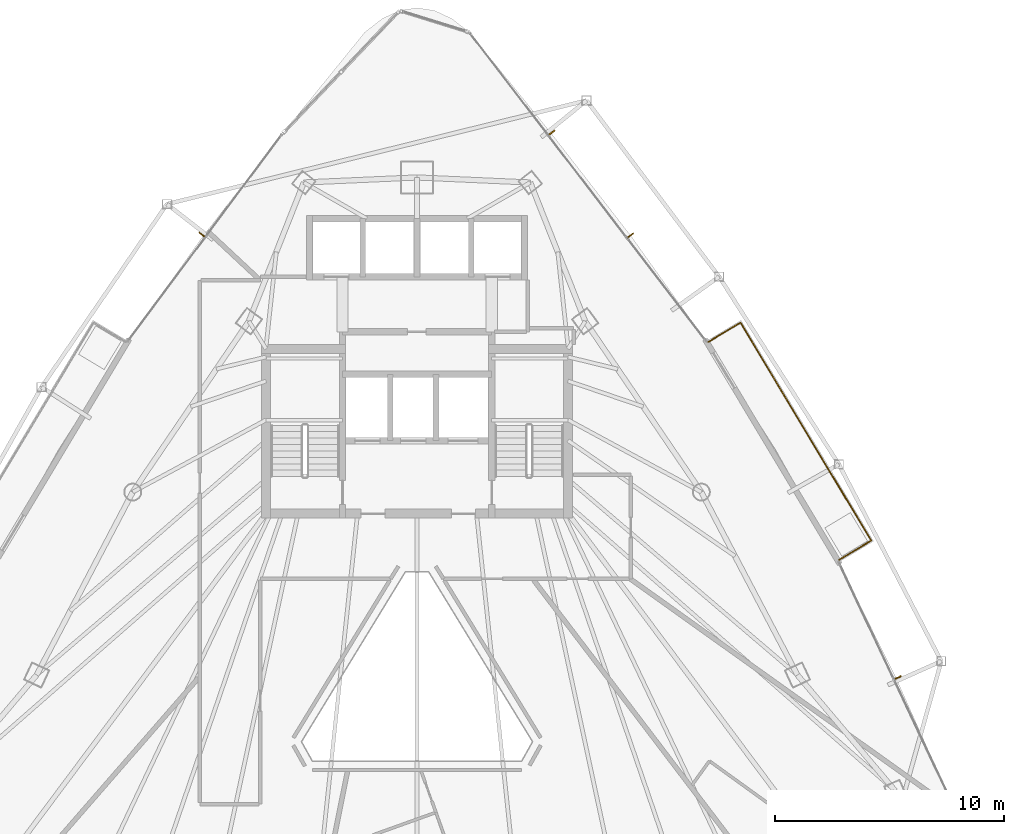
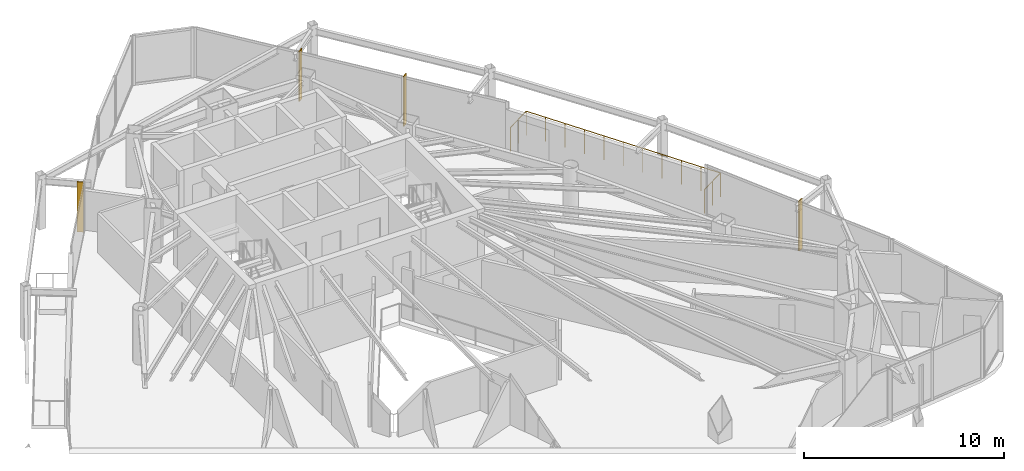
# One storey, part 30 of 30: 4 shading devices, 1 railing.
"""IFC4 building model written with IfcOpenShell, lengths in metres."""

from ifc_helpers import new_model, si_unit, direction, frame, origin, origin_2d, place, context, subcontext, project, spatial, rectangle, circle, extrude, material, layer, layer_set, type_object, element, save


model = new_model("IFC4")

# Units and contexts
model_context = context("Model", 3, precision=1e-05, world=origin(), true_north=direction((0.0, 1.0)))
body_context = subcontext(model_context, "Body", "Model", "MODEL_VIEW")
ifc_project = project(units=[si_unit("LENGTHUNIT", "METRE"), si_unit("AREAUNIT", "SQUARE_METRE"), si_unit("VOLUMEUNIT", "CUBIC_METRE"), si_unit("PLANEANGLEUNIT", "RADIAN"), si_unit("MASSUNIT", "GRAM", prefix="KILO")], contexts=[model_context])

# Site, building, storey
site_placement = place(None, origin())
site = spatial("IfcSite", under=ifc_project, at=site_placement, CompositionType="ELEMENT")
building_placement = place(site_placement, origin())
building = spatial("IfcBuilding", under=site, at=building_placement, Name="Orvanel Arch Residences", CompositionType="ELEMENT")
storey_placement = place(building_placement, frame((0.0, 0.0, 139.699951171875)))
storey = spatial("IfcBuildingStorey", under=building, at=storey_placement, Name="L39", CompositionType="ELEMENT", Elevation=139.699951171875)

# Shading devices
ifc_material = material(Name="Bronze-anodised aluminium AA6063-T6", Category="aluminium")
ifc_layer = layer(ifc_material, 0.054931640625)
ifc_layer_set = layer_set([ifc_layer], Name="Bronze-anodised aluminium AA6063-T6")
shading_device_type = type_object("IfcShadingDeviceType", Name="FIN-BRZ-320", PredefinedType="USERDEFINED", material=ifc_layer_set)
for number, where, z_axis, x_axis, name in (
    (1, (23.593994140625, 38.89697265625, 0.0), (0.0, 0.0, 1.0), (-0.801775644244, 0.597625146976, 0.0), "L39 Anodised Bronze Mullion FIN 01"),
    (2, (54.02392578125, 19.530029296875, 0.0), (0.0, 0.0, 1.0), (0.904827052466, 0.425779291565, 0.0), "L39 Anodised Bronze Mullion FIN 01"),
    (3, (42.333984375, 38.864013671875, 0.0), (0.0, 0.0, 1.0), (0.793353340291, 0.608761429009, 0.0), "L39 Anodised Bronze Mullion FIN 01"),
    (4, (38.889892578125, 43.35595703125, 0.0), (0.0, 0.0, 1.0), (0.793353340291, 0.608761429009, 0.0), "L39 Anodised Bronze Mullion FIN 02"),
):
    element("IfcShadingDevice", number, at=place(storey_placement, frame(where, z_axis=z_axis, x_axis=x_axis)), inside=storey, type_object=shading_device_type, Name=name, ObjectType="FIN", PredefinedType="USERDEFINED", context=body_context, shape_type="SweptSolid", body=[
        extrude(rectangle(XDim=0.320068359375, YDim=0.054931640625, at=origin_2d()), origin(), (0.0, 0.0, 1.0), 3.06005859375),
    ])

# Railing
railing_type = type_object("IfcRailingType", Name="RL-BAL-1480", PredefinedType="BALUSTRADE", material=ifc_material)
railing_placement = place(storey_placement, frame((51.450927734375, 24.675048828125, 0.0)))
element("IfcRailing", 5, at=railing_placement, inside=storey, type_object=railing_type, Name="L39 Balcony Perimeter Guardrail Face 3", PredefinedType="BALUSTRADE", context=body_context, shape_type="SweptSolid", body=[
    extrude(circle(Radius=0.02392578125, at=origin_2d()), frame((0.001220703125, 0.000732421875, 1.4560546875), z_axis=(0.857545439568, 0.514408222208, 0.0), x_axis=(-0.514408222208, 0.857545439568, 0.0)), (0.0, 0.0, 1.0), 1.6376953125),
    extrude(circle(Radius=0.02392578125, at=origin_2d()), frame((1.40625, 0.84521484375, 1.4560546875), z_axis=(-0.514414986508, 0.857541381891, 0.0), x_axis=(-0.857541381891, -0.514414986508, 0.0)), (0.0, 0.0, 1.0), 11.110107421875),
    extrude(circle(Radius=0.02392578125, at=origin_2d()), frame((-4.31103515625, 10.373291015625, 1.4560546875), z_axis=(-0.857387817543, -0.514670895164, 0.0), x_axis=(0.514670895164, -0.857387817543, 0.0)), (0.0, 0.0, 1.0), 1.636962890625),
    extrude(circle(Radius=0.02099609375, at=origin_2d()), origin(), (0.0, 0.0, 1.0), 1.429931640625),
    extrude(circle(Radius=0.02099609375, at=origin_2d()), frame((0.70361328125, 0.421875, 0.0)), (0.0, 0.0, 1.0), 1.429931640625),
    extrude(circle(Radius=0.02099609375, at=origin_2d()), frame((1.406982421875, 0.843994140625, 0.0)), (0.0, 0.0, 1.0), 1.429931640625),
    extrude(circle(Radius=0.02099609375, at=origin_2d()), frame((0.835205078125, 1.796875, 0.0)), (0.0, 0.0, 1.0), 1.429931640625),
    extrude(circle(Radius=0.02099609375, at=origin_2d()), frame((0.263671875, 2.75, 0.0)), (0.0, 0.0, 1.0), 1.429931640625),
    extrude(circle(Radius=0.02099609375, at=origin_2d()), frame((-0.30810546875, 3.703125, 0.0)), (0.0, 0.0, 1.0), 1.429931640625),
    extrude(circle(Radius=0.02099609375, at=origin_2d()), frame((-0.879638671875, 4.656005859375, 0.0)), (0.0, 0.0, 1.0), 1.429931640625),
    extrude(circle(Radius=0.02099609375, at=origin_2d()), frame((-1.451416015625, 5.60888671875, 0.0)), (0.0, 0.0, 1.0), 1.429931640625),
    extrude(circle(Radius=0.02099609375, at=origin_2d()), frame((-2.023193359375, 6.56201171875, 0.0)), (0.0, 0.0, 1.0), 1.429931640625),
    extrude(circle(Radius=0.02099609375, at=origin_2d()), frame((-2.5947265625, 7.51513671875, 0.0)), (0.0, 0.0, 1.0), 1.429931640625),
    extrude(circle(Radius=0.02099609375, at=origin_2d()), frame((-3.16650390625, 8.468017578125, 0.0)), (0.0, 0.0, 1.0), 1.429931640625),
    extrude(circle(Radius=0.02099609375, at=origin_2d()), frame((-3.738037109375, 9.4208984375, 0.0)), (0.0, 0.0, 1.0), 1.429931640625),
    extrude(circle(Radius=0.02099609375, at=origin_2d()), frame((-4.309814453125, 10.3740234375, 0.0)), (0.0, 0.0, 1.0), 1.429931640625),
    extrude(circle(Radius=0.02099609375, at=origin_2d()), frame((-5.0126953125, 9.9521484375, 0.0)), (0.0, 0.0, 1.0), 1.429931640625),
    extrude(circle(Radius=0.02099609375, at=origin_2d()), frame((-5.7158203125, 9.530029296875, 0.0)), (0.0, 0.0, 1.0), 1.429931640625),
])

save(model, "model.ifc")
